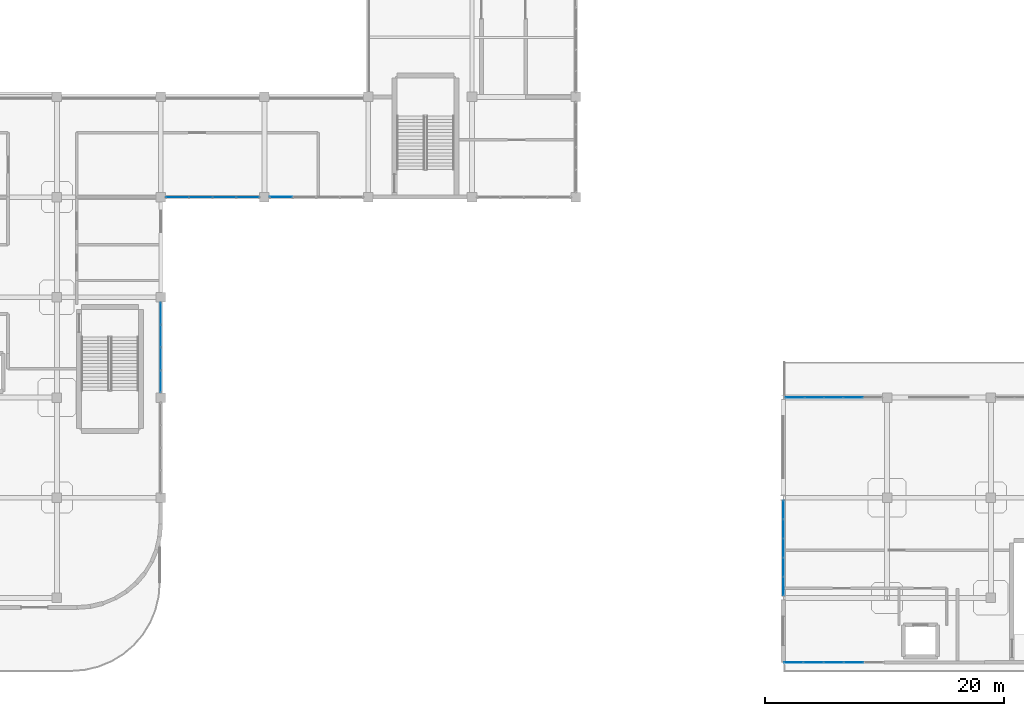
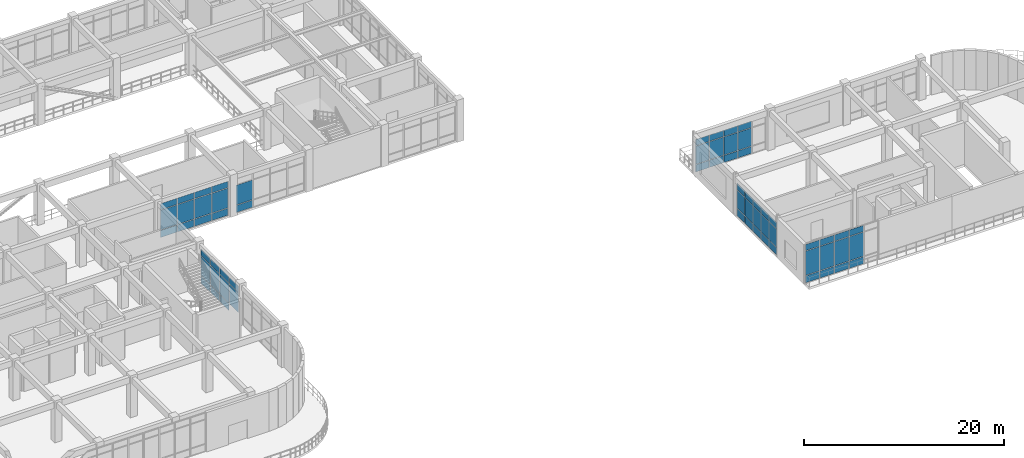
# One storey, part 71 of 96: 64 plates, 6 elements without a shape of their own.
"""IFC4 building model written with IfcOpenShell, lengths in metres."""

from ifc_helpers import new_model, si_unit, derived_unit, direction, frame, origin, origin_2d, place, context, subcontext, project, spatial, rectangle, extrude, material, layer, layer_set, type_object, element, aggregate, save


model = new_model("IFC4")

# Units and contexts
model_context = context("Model", 3, precision=1e-05, world=origin(), true_north=direction((0.0, 1.0)))
body_context = subcontext(model_context, "Body", "Model", "MODEL_VIEW")
ifc_project = project(units=[si_unit("LENGTHUNIT", "METRE"), si_unit("AREAUNIT", "SQUARE_METRE"), si_unit("VOLUMEUNIT", "CUBIC_METRE"), si_unit("PLANEANGLEUNIT", "RADIAN"), si_unit("MASSUNIT", "GRAM", prefix="KILO"), derived_unit("THERMALTRANSMITTANCEUNIT", [(si_unit("MASSUNIT", "GRAM", prefix="KILO"), 1), (si_unit("TIMEUNIT", "SECOND"), -3), (si_unit("THERMODYNAMICTEMPERATUREUNIT", "KELVIN"), -1)])], contexts=[model_context])

# Site, building, storey
site_placement = place(None, origin())
site = spatial("IfcSite", under=ifc_project, at=site_placement, CompositionType="ELEMENT")
building_placement = place(site_placement, origin())
building = spatial("IfcBuilding", under=site, at=building_placement, Name="Qinzheling Arcade Emporium", CompositionType="ELEMENT")
storey_placement = place(building_placement, frame((0.0, 0.0, 21.60009765625)))
storey = spatial("IfcBuildingStorey", under=building, at=storey_placement, Name="L05", CompositionType="ELEMENT", Elevation=21.60009765625)

# Curtain wall, plates
ifc_material_1 = material(Name="Anodised aluminium and solar-control double glazing", Category="aluminium")
ifc_layer_1 = layer(ifc_material_1, 0.159912109375, Name="Anodised aluminium and solar-control double glazing", Category="aluminium")
ifc_layer_set_1 = layer_set([ifc_layer_1], Name="Anodised aluminium and solar-control double glazing")
curtain_wall_type_1 = type_object("IfcCurtainWallType", Name="Atrium Clerestory Curtain Wall", PredefinedType="NOTDEFINED", material=ifc_layer_set_1)
curtain_wall_1_placement = place(storey_placement, origin())
curtain_wall_1 = element("IfcCurtainWall", 1, at=curtain_wall_1_placement, inside=storey, type_object=curtain_wall_type_1, Name="Curtain Wall CW-L05-332", PredefinedType="NOTDEFINED")
ifc_material_2 = material(Name="Laminated solar-control double glazing", Category="glass")
ifc_layer_2 = layer(ifc_material_2, 0.02099609375, Name="Laminated solar-control double glazing", Category="glass")
ifc_layer_set_2 = layer_set([ifc_layer_2], Name="Laminated solar-control double glazing")
plate_type_1 = type_object("IfcPlateType", Name="Low-E Double Glazed Curtain Panel 21mm", PredefinedType="CURTAIN_PANEL", material=ifc_layer_set_2)
plate_1_placement = place(storey_placement, frame((76.89599609375, 42.0, 0.06005859375), z_axis=(0.0, 0.0, 1.0), x_axis=(-1.0, 0.0, 0.0)))
plate_1 = element("IfcPlate", 2, at=plate_1_placement, type_object=plate_type_1, Name="CW03 panel 1.1", PredefinedType="CURTAIN_PANEL", context=body_context, shape_type="SweptSolid", body=[
    extrude(rectangle(XDim=1.884033203125, YDim=0.02099609375, at=origin_2d()), origin(), (0.0, 0.0, 1.0), 0.860107421875),
])
plate_2_placement = place(storey_placement, frame((76.89599609375, 42.0, 0.97998046875), z_axis=(0.0, 0.0, 1.0), x_axis=(-1.0, 0.0, 0.0)))
plate_2 = element("IfcPlate", 3, at=plate_2_placement, type_object=plate_type_1, Name="CW03 panel 1.2", PredefinedType="CURTAIN_PANEL", context=body_context, shape_type="SweptSolid", body=[
    extrude(rectangle(XDim=1.884033203125, YDim=0.02099609375, at=origin_2d()), origin(), (0.0, 0.0, 1.0), 2.39501953125),
])
plate_3_placement = place(storey_placement, frame((76.89599609375, 42.0, 3.43505859375), z_axis=(0.0, 0.0, 1.0), x_axis=(-1.0, 0.0, 0.0)))
plate_3 = element("IfcPlate", 4, at=plate_3_placement, type_object=plate_type_1, Name="CW03 panel 1.3", PredefinedType="CURTAIN_PANEL", context=body_context, shape_type="SweptSolid", body=[
    extrude(rectangle(XDim=1.884033203125, YDim=0.02099609375, at=origin_2d()), origin(), (0.0, 0.0, 1.0), 0.760009765625),
])
plate_4_placement = place(storey_placement, frame((74.93701171875, 42.0, 0.06005859375), z_axis=(0.0, 0.0, 1.0), x_axis=(-1.0, 0.0, 0.0)))
plate_4 = element("IfcPlate", 5, at=plate_4_placement, type_object=plate_type_1, Name="CW03 panel 2.1", PredefinedType="CURTAIN_PANEL", context=body_context, shape_type="SweptSolid", body=[
    extrude(rectangle(XDim=1.9140625, YDim=0.02099609375, at=origin_2d()), origin(), (0.0, 0.0, 1.0), 0.860107421875),
])
plate_5_placement = place(storey_placement, frame((74.93701171875, 42.0, 0.97998046875), z_axis=(0.0, 0.0, 1.0), x_axis=(-1.0, 0.0, 0.0)))
plate_5 = element("IfcPlate", 6, at=plate_5_placement, type_object=plate_type_1, Name="CW03 panel 2.2", PredefinedType="CURTAIN_PANEL", context=body_context, shape_type="SweptSolid", body=[
    extrude(rectangle(XDim=1.9140625, YDim=0.02099609375, at=origin_2d()), origin(), (0.0, 0.0, 1.0), 2.39501953125),
])
plate_6_placement = place(storey_placement, frame((74.93701171875, 42.0, 3.43505859375), z_axis=(0.0, 0.0, 1.0), x_axis=(-1.0, 0.0, 0.0)))
plate_6 = element("IfcPlate", 7, at=plate_6_placement, type_object=plate_type_1, Name="CW03 panel 2.3", PredefinedType="CURTAIN_PANEL", context=body_context, shape_type="SweptSolid", body=[
    extrude(rectangle(XDim=1.9140625, YDim=0.02099609375, at=origin_2d()), origin(), (0.0, 0.0, 1.0), 0.760009765625),
])
plate_7_placement = place(storey_placement, frame((72.962890625, 42.0, 0.06005859375), z_axis=(0.0, 0.0, 1.0), x_axis=(-1.0, 0.0, 0.0)))
plate_7 = element("IfcPlate", 8, at=plate_7_placement, type_object=plate_type_1, Name="CW03 panel 3.1", PredefinedType="CURTAIN_PANEL", context=body_context, shape_type="SweptSolid", body=[
    extrude(rectangle(XDim=1.9140625, YDim=0.02099609375, at=origin_2d()), origin(), (0.0, 0.0, 1.0), 0.860107421875),
])
plate_8_placement = place(storey_placement, frame((72.962890625, 42.0, 0.97998046875), z_axis=(0.0, 0.0, 1.0), x_axis=(-1.0, 0.0, 0.0)))
plate_8 = element("IfcPlate", 9, at=plate_8_placement, type_object=plate_type_1, Name="CW03 panel 3.2", PredefinedType="CURTAIN_PANEL", context=body_context, shape_type="SweptSolid", body=[
    extrude(rectangle(XDim=1.9140625, YDim=0.02099609375, at=origin_2d()), origin(), (0.0, 0.0, 1.0), 2.39501953125),
])
plate_9_placement = place(storey_placement, frame((72.962890625, 42.0, 3.43505859375), z_axis=(0.0, 0.0, 1.0), x_axis=(-1.0, 0.0, 0.0)))
plate_9 = element("IfcPlate", 10, at=plate_9_placement, type_object=plate_type_1, Name="CW03 panel 3.3", PredefinedType="CURTAIN_PANEL", context=body_context, shape_type="SweptSolid", body=[
    extrude(rectangle(XDim=1.9140625, YDim=0.02099609375, at=origin_2d()), origin(), (0.0, 0.0, 1.0), 0.760009765625),
])
plate_10_placement = place(storey_placement, frame((71.00390625, 42.0, 0.06005859375), z_axis=(0.0, 0.0, 1.0), x_axis=(-1.0, 0.0, 0.0)))
plate_10 = element("IfcPlate", 11, at=plate_10_placement, type_object=plate_type_1, Name="CW03 panel 4.1", PredefinedType="CURTAIN_PANEL", context=body_context, shape_type="SweptSolid", body=[
    extrude(rectangle(XDim=1.884033203125, YDim=0.02099609375, at=origin_2d()), origin(), (0.0, 0.0, 1.0), 0.860107421875),
])
plate_11_placement = place(storey_placement, frame((71.00390625, 42.0, 0.97998046875), z_axis=(0.0, 0.0, 1.0), x_axis=(-1.0, 0.0, 0.0)))
plate_11 = element("IfcPlate", 12, at=plate_11_placement, type_object=plate_type_1, Name="CW03 panel 4.2", PredefinedType="CURTAIN_PANEL", context=body_context, shape_type="SweptSolid", body=[
    extrude(rectangle(XDim=1.884033203125, YDim=0.02099609375, at=origin_2d()), origin(), (0.0, 0.0, 1.0), 2.39501953125),
])
plate_12_placement = place(storey_placement, frame((71.00390625, 42.0, 3.43505859375), z_axis=(0.0, 0.0, 1.0), x_axis=(-1.0, 0.0, 0.0)))
plate_12 = element("IfcPlate", 13, at=plate_12_placement, type_object=plate_type_1, Name="CW03 panel 4.3", PredefinedType="CURTAIN_PANEL", context=body_context, shape_type="SweptSolid", body=[
    extrude(rectangle(XDim=1.884033203125, YDim=0.02099609375, at=origin_2d()), origin(), (0.0, 0.0, 1.0), 0.760009765625),
])
aggregate(curtain_wall_1, [plate_1, plate_2, plate_3, plate_4, plate_5, plate_6, plate_7, plate_8, plate_9, plate_10, plate_11, plate_12])

ifc_layer_3 = layer(ifc_material_1, 0.159912109375, Name="Anodised aluminium and solar-control double glazing", Category="aluminium")
ifc_layer_set_3 = layer_set([ifc_layer_3], Name="Anodised aluminium and solar-control double glazing")
curtain_wall_type_2 = type_object("IfcCurtainWallType", Name="Arcade Portal Glazed Curtain Wall", PredefinedType="NOTDEFINED", material=ifc_layer_set_3)
curtain_wall_2_placement = place(storey_placement, origin())
curtain_wall_2 = element("IfcCurtainWall", 14, at=curtain_wall_2_placement, inside=storey, type_object=curtain_wall_type_2, Name="Curtain Wall CW-L05-333", PredefinedType="NOTDEFINED")
ifc_layer_4 = layer(ifc_material_2, 0.02197265625, Name="Laminated solar-control double glazing", Category="glass")
ifc_layer_set_4 = layer_set([ifc_layer_4], Name="Laminated solar-control double glazing")
plate_type_2 = type_object("IfcPlateType", Name="Low-E Double Glazed Curtain Panel 22mm", PredefinedType="CURTAIN_PANEL", material=ifc_layer_set_4)
plate_13_placement = place(storey_placement, frame((69.60009765625, 32.2333984375, 0.06005859375), z_axis=(0.0, 0.0, 1.0), x_axis=(0.0, -1.0, 0.0)))
plate_13 = element("IfcPlate", 15, at=plate_13_placement, type_object=plate_type_2, Name="CW05 panel 1.1", PredefinedType="CURTAIN_PANEL", context=body_context, shape_type="SweptSolid", body=[
    extrude(rectangle(XDim=1.80908203125, YDim=0.02197265625, at=origin_2d()), origin(), (0.0, 0.0, 1.0), 0.860107421875),
])
plate_14_placement = place(storey_placement, frame((69.60009765625, 32.2333984375, 0.97998046875), z_axis=(0.0, 0.0, 1.0), x_axis=(0.0, -1.0, 0.0)))
plate_14 = element("IfcPlate", 16, at=plate_14_placement, type_object=plate_type_2, Name="CW05 panel 1.2", PredefinedType="CURTAIN_PANEL", context=body_context, shape_type="SweptSolid", body=[
    extrude(rectangle(XDim=1.80908203125, YDim=0.02197265625, at=origin_2d()), origin(), (0.0, 0.0, 1.0), 2.39501953125),
])
plate_15_placement = place(storey_placement, frame((69.60009765625, 32.2333984375, 3.43505859375), z_axis=(0.0, 0.0, 1.0), x_axis=(0.0, -1.0, 0.0)))
plate_15 = element("IfcPlate", 17, at=plate_15_placement, type_object=plate_type_2, Name="CW05 panel 1.3", PredefinedType="CURTAIN_PANEL", context=body_context, shape_type="SweptSolid", body=[
    extrude(rectangle(XDim=1.80908203125, YDim=0.02197265625, at=origin_2d()), origin(), (0.0, 0.0, 1.0), 0.760009765625),
])
plate_16_placement = place(storey_placement, frame((69.60009765625, 30.349609375, 0.06005859375), z_axis=(0.0, 0.0, 1.0), x_axis=(0.0, -1.0, 0.0)))
plate_16 = element("IfcPlate", 18, at=plate_16_placement, type_object=plate_type_2, Name="CW05 panel 2.1", PredefinedType="CURTAIN_PANEL", context=body_context, shape_type="SweptSolid", body=[
    extrude(rectangle(XDim=1.839111328125, YDim=0.02197265625, at=origin_2d()), origin(), (0.0, 0.0, 1.0), 0.860107421875),
])
plate_17_placement = place(storey_placement, frame((69.60009765625, 30.349609375, 0.97998046875), z_axis=(0.0, 0.0, 1.0), x_axis=(0.0, -1.0, 0.0)))
plate_17 = element("IfcPlate", 19, at=plate_17_placement, type_object=plate_type_2, Name="CW05 panel 2.2", PredefinedType="CURTAIN_PANEL", context=body_context, shape_type="SweptSolid", body=[
    extrude(rectangle(XDim=1.839111328125, YDim=0.02197265625, at=origin_2d()), origin(), (0.0, 0.0, 1.0), 2.39501953125),
])
plate_18_placement = place(storey_placement, frame((69.60009765625, 30.349609375, 3.43505859375), z_axis=(0.0, 0.0, 1.0), x_axis=(0.0, -1.0, 0.0)))
plate_18 = element("IfcPlate", 20, at=plate_18_placement, type_object=plate_type_2, Name="CW05 panel 2.3", PredefinedType="CURTAIN_PANEL", context=body_context, shape_type="SweptSolid", body=[
    extrude(rectangle(XDim=1.839111328125, YDim=0.02197265625, at=origin_2d()), origin(), (0.0, 0.0, 1.0), 0.760009765625),
])
plate_19_placement = place(storey_placement, frame((69.60009765625, 28.450439453125, 0.06005859375), z_axis=(0.0, 0.0, 1.0), x_axis=(0.0, -1.0, 0.0)))
plate_19 = element("IfcPlate", 21, at=plate_19_placement, type_object=plate_type_2, Name="CW05 panel 3.1", PredefinedType="CURTAIN_PANEL", context=body_context, shape_type="SweptSolid", body=[
    extrude(rectangle(XDim=1.839111328125, YDim=0.02197265625, at=origin_2d()), origin(), (0.0, 0.0, 1.0), 0.860107421875),
])
plate_20_placement = place(storey_placement, frame((69.60009765625, 28.450439453125, 0.97998046875), z_axis=(0.0, 0.0, 1.0), x_axis=(0.0, -1.0, 0.0)))
plate_20 = element("IfcPlate", 22, at=plate_20_placement, type_object=plate_type_2, Name="CW05 panel 3.2", PredefinedType="CURTAIN_PANEL", context=body_context, shape_type="SweptSolid", body=[
    extrude(rectangle(XDim=1.839111328125, YDim=0.02197265625, at=origin_2d()), origin(), (0.0, 0.0, 1.0), 2.39501953125),
])
plate_21_placement = place(storey_placement, frame((69.60009765625, 28.450439453125, 3.43505859375), z_axis=(0.0, 0.0, 1.0), x_axis=(0.0, -1.0, 0.0)))
plate_21 = element("IfcPlate", 23, at=plate_21_placement, type_object=plate_type_2, Name="CW05 panel 3.3", PredefinedType="CURTAIN_PANEL", context=body_context, shape_type="SweptSolid", body=[
    extrude(rectangle(XDim=1.839111328125, YDim=0.02197265625, at=origin_2d()), origin(), (0.0, 0.0, 1.0), 0.760009765625),
])
plate_22_placement = place(storey_placement, frame((69.60009765625, 26.56640625, 0.97998046875), z_axis=(0.0, 0.0, 1.0), x_axis=(0.0, -1.0, 0.0)))
plate_22 = element("IfcPlate", 24, at=plate_22_placement, type_object=plate_type_2, Name="CW05 panel 4.2", PredefinedType="CURTAIN_PANEL", context=body_context, shape_type="SweptSolid", body=[
    extrude(rectangle(XDim=1.80908203125, YDim=0.02197265625, at=origin_2d()), origin(), (0.0, 0.0, 1.0), 2.39501953125),
])
plate_23_placement = place(storey_placement, frame((69.60009765625, 26.56640625, 3.43505859375), z_axis=(0.0, 0.0, 1.0), x_axis=(0.0, -1.0, 0.0)))
plate_23 = element("IfcPlate", 25, at=plate_23_placement, type_object=plate_type_2, Name="CW05 panel 4.3", PredefinedType="CURTAIN_PANEL", context=body_context, shape_type="SweptSolid", body=[
    extrude(rectangle(XDim=1.80908203125, YDim=0.02197265625, at=origin_2d()), origin(), (0.0, 0.0, 1.0), 0.760009765625),
])
aggregate(curtain_wall_2, [plate_13, plate_14, plate_15, plate_16, plate_17, plate_18, plate_19, plate_20, plate_21, plate_22, plate_23])

ifc_layer_5 = layer(ifc_material_1, 0.159912109375, Name="Anodised aluminium and solar-control double glazing", Category="aluminium")
ifc_layer_set_5 = layer_set([ifc_layer_5], Name="Anodised aluminium and solar-control double glazing")
curtain_wall_type_3 = type_object("IfcCurtainWallType", Name="Food Hall Loggia Curtain Wall", PredefinedType="NOTDEFINED", material=ifc_layer_set_5)
curtain_wall_3_placement = place(storey_placement, origin())
curtain_wall_3 = element("IfcCurtainWall", 26, at=curtain_wall_3_placement, inside=storey, type_object=curtain_wall_type_3, Name="Curtain Wall CW-L05-294", PredefinedType="NOTDEFINED")
ifc_layer_6 = layer(ifc_material_2, 0.031982421875, Name="Laminated solar-control double glazing", Category="glass")
ifc_layer_set_6 = layer_set([ifc_layer_6], Name="Laminated solar-control double glazing")
plate_type_3 = type_object("IfcPlateType", Name="Low-E Double Glazed Curtain Panel 32mm", PredefinedType="CURTAIN_PANEL", material=ifc_layer_set_6)
plate_24_placement = place(storey_placement, frame((127.70166015625, 3.0, 0.06005859375), z_axis=(0.0, 0.0, 1.0), x_axis=(-1.0, 0.0, 0.0)))
plate_24 = element("IfcPlate", 27, at=plate_24_placement, type_object=plate_type_3, Name="CW04 panel 2.1", PredefinedType="CURTAIN_PANEL", context=body_context, shape_type="SweptSolid", body=[
    extrude(rectangle(XDim=1.626220703125, YDim=0.031982421875, at=origin_2d()), origin(), (0.0, 0.0, 1.0), 0.860107421875),
])
plate_25_placement = place(storey_placement, frame((127.70166015625, 3.0, 0.97998046875), z_axis=(0.0, 0.0, 1.0), x_axis=(-1.0, 0.0, 0.0)))
plate_25 = element("IfcPlate", 28, at=plate_25_placement, type_object=plate_type_3, Name="CW04 panel 2.2", PredefinedType="CURTAIN_PANEL", context=body_context, shape_type="SweptSolid", body=[
    extrude(rectangle(XDim=1.626220703125, YDim=0.031982421875, at=origin_2d()), origin(), (0.0, 0.0, 1.0), 2.929931640625),
])
plate_26_placement = place(storey_placement, frame((127.70166015625, 3.0, 3.9697265625), z_axis=(0.0, 0.0, 1.0), x_axis=(-1.0, 0.0, 0.0)))
plate_26 = element("IfcPlate", 29, at=plate_26_placement, type_object=plate_type_3, Name="CW04 panel 2.3", PredefinedType="CURTAIN_PANEL", context=body_context, shape_type="SweptSolid", body=[
    extrude(rectangle(XDim=1.626220703125, YDim=0.031982421875, at=origin_2d()), origin(), (0.0, 0.0, 1.0), 0.760009765625),
])
plate_27_placement = place(storey_placement, frame((126.015380859375, 3.0, 0.06005859375), z_axis=(0.0, 0.0, 1.0), x_axis=(-1.0, 0.0, 0.0)))
plate_27 = element("IfcPlate", 30, at=plate_27_placement, type_object=plate_type_3, Name="CW04 panel 3.1", PredefinedType="CURTAIN_PANEL", context=body_context, shape_type="SweptSolid", body=[
    extrude(rectangle(XDim=1.626220703125, YDim=0.031982421875, at=origin_2d()), origin(), (0.0, 0.0, 1.0), 0.860107421875),
])
plate_28_placement = place(storey_placement, frame((126.015380859375, 3.0, 0.97998046875), z_axis=(0.0, 0.0, 1.0), x_axis=(-1.0, 0.0, 0.0)))
plate_28 = element("IfcPlate", 31, at=plate_28_placement, type_object=plate_type_3, Name="CW04 panel 3.2", PredefinedType="CURTAIN_PANEL", context=body_context, shape_type="SweptSolid", body=[
    extrude(rectangle(XDim=1.626220703125, YDim=0.031982421875, at=origin_2d()), origin(), (0.0, 0.0, 1.0), 2.929931640625),
])
plate_29_placement = place(storey_placement, frame((126.015380859375, 3.0, 3.9697265625), z_axis=(0.0, 0.0, 1.0), x_axis=(-1.0, 0.0, 0.0)))
plate_29 = element("IfcPlate", 32, at=plate_29_placement, type_object=plate_type_3, Name="CW04 panel 3.3", PredefinedType="CURTAIN_PANEL", context=body_context, shape_type="SweptSolid", body=[
    extrude(rectangle(XDim=1.626220703125, YDim=0.031982421875, at=origin_2d()), origin(), (0.0, 0.0, 1.0), 0.760009765625),
])
plate_30_placement = place(storey_placement, frame((124.329345703125, 3.0, 0.06005859375), z_axis=(0.0, 0.0, 1.0), x_axis=(-1.0, 0.0, 0.0)))
plate_30 = element("IfcPlate", 33, at=plate_30_placement, type_object=plate_type_3, Name="CW04 panel 4.1", PredefinedType="CURTAIN_PANEL", context=body_context, shape_type="SweptSolid", body=[
    extrude(rectangle(XDim=1.626220703125, YDim=0.031982421875, at=origin_2d()), origin(), (0.0, 0.0, 1.0), 0.860107421875),
])
plate_31_placement = place(storey_placement, frame((124.329345703125, 3.0, 0.97998046875), z_axis=(0.0, 0.0, 1.0), x_axis=(-1.0, 0.0, 0.0)))
plate_31 = element("IfcPlate", 34, at=plate_31_placement, type_object=plate_type_3, Name="CW04 panel 4.2", PredefinedType="CURTAIN_PANEL", context=body_context, shape_type="SweptSolid", body=[
    extrude(rectangle(XDim=1.626220703125, YDim=0.031982421875, at=origin_2d()), origin(), (0.0, 0.0, 1.0), 2.929931640625),
])
plate_32_placement = place(storey_placement, frame((124.329345703125, 3.0, 3.9697265625), z_axis=(0.0, 0.0, 1.0), x_axis=(-1.0, 0.0, 0.0)))
plate_32 = element("IfcPlate", 35, at=plate_32_placement, type_object=plate_type_3, Name="CW04 panel 4.3", PredefinedType="CURTAIN_PANEL", context=body_context, shape_type="SweptSolid", body=[
    extrude(rectangle(XDim=1.626220703125, YDim=0.031982421875, at=origin_2d()), origin(), (0.0, 0.0, 1.0), 0.760009765625),
])
plate_33_placement = place(storey_placement, frame((122.658203125, 3.0, 0.06005859375), z_axis=(0.0, 0.0, 1.0), x_axis=(-1.0, 0.0, 0.0)))
plate_33 = element("IfcPlate", 36, at=plate_33_placement, type_object=plate_type_3, Name="CW04 panel 5.1", PredefinedType="CURTAIN_PANEL", context=body_context, shape_type="SweptSolid", body=[
    extrude(rectangle(XDim=1.59619140625, YDim=0.031982421875, at=origin_2d()), origin(), (0.0, 0.0, 1.0), 0.860107421875),
])
plate_34_placement = place(storey_placement, frame((122.658203125, 3.0, 0.97998046875), z_axis=(0.0, 0.0, 1.0), x_axis=(-1.0, 0.0, 0.0)))
plate_34 = element("IfcPlate", 37, at=plate_34_placement, type_object=plate_type_3, Name="CW04 panel 5.2", PredefinedType="CURTAIN_PANEL", context=body_context, shape_type="SweptSolid", body=[
    extrude(rectangle(XDim=1.59619140625, YDim=0.031982421875, at=origin_2d()), origin(), (0.0, 0.0, 1.0), 2.929931640625),
])
plate_35_placement = place(storey_placement, frame((122.658203125, 3.0, 3.9697265625), z_axis=(0.0, 0.0, 1.0), x_axis=(-1.0, 0.0, 0.0)))
plate_35 = element("IfcPlate", 38, at=plate_35_placement, type_object=plate_type_3, Name="CW04 panel 5.3", PredefinedType="CURTAIN_PANEL", context=body_context, shape_type="SweptSolid", body=[
    extrude(rectangle(XDim=1.59619140625, YDim=0.031982421875, at=origin_2d()), origin(), (0.0, 0.0, 1.0), 0.760009765625),
])
aggregate(curtain_wall_3, [plate_24, plate_25, plate_26, plate_27, plate_28, plate_29, plate_30, plate_31, plate_32, plate_33, plate_34, plate_35])

curtain_wall_4_placement = place(storey_placement, origin())
curtain_wall_4 = element("IfcCurtainWall", 39, at=curtain_wall_4_placement, inside=storey, type_object=curtain_wall_type_3, Name="Curtain Wall CW-L05-295", PredefinedType="NOTDEFINED")
ifc_layer_7 = layer(ifc_material_2, 0.033935546875, Name="Laminated solar-control double glazing", Category="glass")
ifc_layer_set_7 = layer_set([ifc_layer_7], Name="Laminated solar-control double glazing")
plate_type_4 = type_object("IfcPlateType", Name="Low-E Double Glazed Curtain Panel 34mm", PredefinedType="CURTAIN_PANEL", material=ifc_layer_set_7)
plate_36_placement = place(storey_placement, frame((121.800048828125, 9.37158203125, 0.06005859375), z_axis=(0.0, 0.0, 1.0), x_axis=(0.0, 1.0, 0.0)))
plate_36 = element("IfcPlate", 40, at=plate_36_placement, type_object=plate_type_4, Name="CW04 panel 1.1", PredefinedType="CURTAIN_PANEL", context=body_context, shape_type="SweptSolid", body=[
    extrude(rectangle(XDim=1.519287109375, YDim=0.033935546875, at=origin_2d()), origin(), (0.0, 0.0, 1.0), 0.860107421875),
])
plate_37_placement = place(storey_placement, frame((121.800048828125, 9.37158203125, 0.97998046875), z_axis=(0.0, 0.0, 1.0), x_axis=(0.0, 1.0, 0.0)))
plate_37 = element("IfcPlate", 41, at=plate_37_placement, type_object=plate_type_4, Name="CW04 panel 1.2", PredefinedType="CURTAIN_PANEL", context=body_context, shape_type="SweptSolid", body=[
    extrude(rectangle(XDim=1.519287109375, YDim=0.033935546875, at=origin_2d()), origin(), (0.0, 0.0, 1.0), 2.195068359375),
])
plate_38_placement = place(storey_placement, frame((121.800048828125, 9.37158203125, 3.23486328125), z_axis=(0.0, 0.0, 1.0), x_axis=(0.0, 1.0, 0.0)))
plate_38 = element("IfcPlate", 42, at=plate_38_placement, type_object=plate_type_4, Name="CW04 panel 1.3", PredefinedType="CURTAIN_PANEL", context=body_context, shape_type="SweptSolid", body=[
    extrude(rectangle(XDim=1.519287109375, YDim=0.033935546875, at=origin_2d()), origin(), (0.0, 0.0, 1.0), 0.760009765625),
])
plate_39_placement = place(storey_placement, frame((121.800048828125, 10.9658203125, 0.06005859375), z_axis=(0.0, 0.0, 1.0), x_axis=(0.0, 1.0, 0.0)))
plate_39 = element("IfcPlate", 43, at=plate_39_placement, type_object=plate_type_4, Name="CW04 panel 2.1", PredefinedType="CURTAIN_PANEL", context=body_context, shape_type="SweptSolid", body=[
    extrude(rectangle(XDim=1.54931640625, YDim=0.033935546875, at=origin_2d()), origin(), (0.0, 0.0, 1.0), 0.860107421875),
])
plate_40_placement = place(storey_placement, frame((121.800048828125, 10.9658203125, 0.97998046875), z_axis=(0.0, 0.0, 1.0), x_axis=(0.0, 1.0, 0.0)))
plate_40 = element("IfcPlate", 44, at=plate_40_placement, type_object=plate_type_4, Name="CW04 panel 2.2", PredefinedType="CURTAIN_PANEL", context=body_context, shape_type="SweptSolid", body=[
    extrude(rectangle(XDim=1.54931640625, YDim=0.033935546875, at=origin_2d()), origin(), (0.0, 0.0, 1.0), 2.195068359375),
])
plate_41_placement = place(storey_placement, frame((121.800048828125, 10.9658203125, 3.23486328125), z_axis=(0.0, 0.0, 1.0), x_axis=(0.0, 1.0, 0.0)))
plate_41 = element("IfcPlate", 45, at=plate_41_placement, type_object=plate_type_4, Name="CW04 panel 2.3", PredefinedType="CURTAIN_PANEL", context=body_context, shape_type="SweptSolid", body=[
    extrude(rectangle(XDim=1.54931640625, YDim=0.033935546875, at=origin_2d()), origin(), (0.0, 0.0, 1.0), 0.760009765625),
])
plate_42_placement = place(storey_placement, frame((121.800048828125, 12.574951171875, 0.06005859375), z_axis=(0.0, 0.0, 1.0), x_axis=(0.0, 1.0, 0.0)))
plate_42 = element("IfcPlate", 46, at=plate_42_placement, type_object=plate_type_4, Name="CW04 panel 3.1", PredefinedType="CURTAIN_PANEL", context=body_context, shape_type="SweptSolid", body=[
    extrude(rectangle(XDim=1.54931640625, YDim=0.033935546875, at=origin_2d()), origin(), (0.0, 0.0, 1.0), 0.860107421875),
])
plate_43_placement = place(storey_placement, frame((121.800048828125, 12.574951171875, 0.97998046875), z_axis=(0.0, 0.0, 1.0), x_axis=(0.0, 1.0, 0.0)))
plate_43 = element("IfcPlate", 47, at=plate_43_placement, type_object=plate_type_4, Name="CW04 panel 3.2", PredefinedType="CURTAIN_PANEL", context=body_context, shape_type="SweptSolid", body=[
    extrude(rectangle(XDim=1.54931640625, YDim=0.033935546875, at=origin_2d()), origin(), (0.0, 0.0, 1.0), 2.195068359375),
])
plate_44_placement = place(storey_placement, frame((121.800048828125, 12.574951171875, 3.23486328125), z_axis=(0.0, 0.0, 1.0), x_axis=(0.0, 1.0, 0.0)))
plate_44 = element("IfcPlate", 48, at=plate_44_placement, type_object=plate_type_4, Name="CW04 panel 3.3", PredefinedType="CURTAIN_PANEL", context=body_context, shape_type="SweptSolid", body=[
    extrude(rectangle(XDim=1.54931640625, YDim=0.033935546875, at=origin_2d()), origin(), (0.0, 0.0, 1.0), 0.760009765625),
])
plate_45_placement = place(storey_placement, frame((121.800048828125, 14.18408203125, 0.06005859375), z_axis=(0.0, 0.0, 1.0), x_axis=(0.0, 1.0, 0.0)))
plate_45 = element("IfcPlate", 49, at=plate_45_placement, type_object=plate_type_4, Name="CW04 panel 4.1", PredefinedType="CURTAIN_PANEL", context=body_context, shape_type="SweptSolid", body=[
    extrude(rectangle(XDim=1.54931640625, YDim=0.033935546875, at=origin_2d()), origin(), (0.0, 0.0, 1.0), 0.860107421875),
])
plate_46_placement = place(storey_placement, frame((121.800048828125, 14.18408203125, 0.97998046875), z_axis=(0.0, 0.0, 1.0), x_axis=(0.0, 1.0, 0.0)))
plate_46 = element("IfcPlate", 50, at=plate_46_placement, type_object=plate_type_4, Name="CW04 panel 4.2", PredefinedType="CURTAIN_PANEL", context=body_context, shape_type="SweptSolid", body=[
    extrude(rectangle(XDim=1.54931640625, YDim=0.033935546875, at=origin_2d()), origin(), (0.0, 0.0, 1.0), 2.195068359375),
])
plate_47_placement = place(storey_placement, frame((121.800048828125, 14.18408203125, 3.23486328125), z_axis=(0.0, 0.0, 1.0), x_axis=(0.0, 1.0, 0.0)))
plate_47 = element("IfcPlate", 51, at=plate_47_placement, type_object=plate_type_4, Name="CW04 panel 4.3", PredefinedType="CURTAIN_PANEL", context=body_context, shape_type="SweptSolid", body=[
    extrude(rectangle(XDim=1.54931640625, YDim=0.033935546875, at=origin_2d()), origin(), (0.0, 0.0, 1.0), 0.760009765625),
])
plate_48_placement = place(storey_placement, frame((121.800048828125, 15.7783203125, 0.06005859375), z_axis=(0.0, 0.0, 1.0), x_axis=(0.0, 1.0, 0.0)))
plate_48 = element("IfcPlate", 52, at=plate_48_placement, type_object=plate_type_4, Name="CW04 panel 5.1", PredefinedType="CURTAIN_PANEL", context=body_context, shape_type="SweptSolid", body=[
    extrude(rectangle(XDim=1.519287109375, YDim=0.033935546875, at=origin_2d()), origin(), (0.0, 0.0, 1.0), 0.860107421875),
])
plate_49_placement = place(storey_placement, frame((121.800048828125, 15.7783203125, 0.97998046875), z_axis=(0.0, 0.0, 1.0), x_axis=(0.0, 1.0, 0.0)))
plate_49 = element("IfcPlate", 53, at=plate_49_placement, type_object=plate_type_4, Name="CW04 panel 5.2", PredefinedType="CURTAIN_PANEL", context=body_context, shape_type="SweptSolid", body=[
    extrude(rectangle(XDim=1.519287109375, YDim=0.033935546875, at=origin_2d()), origin(), (0.0, 0.0, 1.0), 2.195068359375),
])
plate_50_placement = place(storey_placement, frame((121.800048828125, 15.7783203125, 3.23486328125), z_axis=(0.0, 0.0, 1.0), x_axis=(0.0, 1.0, 0.0)))
plate_50 = element("IfcPlate", 54, at=plate_50_placement, type_object=plate_type_4, Name="CW04 panel 5.3", PredefinedType="CURTAIN_PANEL", context=body_context, shape_type="SweptSolid", body=[
    extrude(rectangle(XDim=1.519287109375, YDim=0.033935546875, at=origin_2d()), origin(), (0.0, 0.0, 1.0), 0.760009765625),
])
aggregate(curtain_wall_4, [plate_36, plate_37, plate_38, plate_39, plate_40, plate_41, plate_42, plate_43, plate_44, plate_45, plate_46, plate_47, plate_48, plate_49, plate_50])

curtain_wall_5_placement = place(storey_placement, origin())
curtain_wall_5 = element("IfcCurtainWall", 55, at=curtain_wall_5_placement, inside=storey, type_object=curtain_wall_type_3, Name="Curtain Wall CW-L05-296", PredefinedType="NOTDEFINED")
ifc_layer_8 = layer(ifc_material_2, 0.035888671875, Name="Laminated solar-control double glazing", Category="glass")
ifc_layer_set_8 = layer_set([ifc_layer_8], Name="Laminated solar-control double glazing")
plate_type_5 = type_object("IfcPlateType", Name="Low-E Double Glazed Curtain Panel 36mm", PredefinedType="CURTAIN_PANEL", material=ifc_layer_set_8)
plate_51_placement = place(storey_placement, frame((122.781494140625, 25.199951171875, 0.06005859375), z_axis=(0.0, 0.0, 1.0), x_axis=(1.0, 0.0, 0.0)))
plate_51 = element("IfcPlate", 56, at=plate_51_placement, type_object=plate_type_5, Name="CW04 panel 1.1", PredefinedType="CURTAIN_PANEL", context=body_context, shape_type="SweptSolid", body=[
    extrude(rectangle(XDim=1.539306640625, YDim=0.035888671875, at=origin_2d()), origin(), (0.0, 0.0, 1.0), 0.860107421875),
])
plate_52_placement = place(storey_placement, frame((122.781494140625, 25.199951171875, 0.97998046875), z_axis=(0.0, 0.0, 1.0), x_axis=(1.0, 0.0, 0.0)))
plate_52 = element("IfcPlate", 57, at=plate_52_placement, type_object=plate_type_5, Name="CW04 panel 1.2", PredefinedType="CURTAIN_PANEL", context=body_context, shape_type="SweptSolid", body=[
    extrude(rectangle(XDim=1.539306640625, YDim=0.035888671875, at=origin_2d()), origin(), (0.0, 0.0, 1.0), 2.195068359375),
])
plate_53_placement = place(storey_placement, frame((122.781494140625, 25.199951171875, 3.23486328125), z_axis=(0.0, 0.0, 1.0), x_axis=(1.0, 0.0, 0.0)))
plate_53 = element("IfcPlate", 58, at=plate_53_placement, type_object=plate_type_5, Name="CW04 panel 1.3", PredefinedType="CURTAIN_PANEL", context=body_context, shape_type="SweptSolid", body=[
    extrude(rectangle(XDim=1.539306640625, YDim=0.035888671875, at=origin_2d()), origin(), (0.0, 0.0, 1.0), 0.760009765625),
])
plate_54_placement = place(storey_placement, frame((124.395751953125, 25.199951171875, 0.06005859375), z_axis=(0.0, 0.0, 1.0), x_axis=(1.0, 0.0, 0.0)))
plate_54 = element("IfcPlate", 59, at=plate_54_placement, type_object=plate_type_5, Name="CW04 panel 2.1", PredefinedType="CURTAIN_PANEL", context=body_context, shape_type="SweptSolid", body=[
    extrude(rectangle(XDim=1.569091796875, YDim=0.035888671875, at=origin_2d()), origin(), (0.0, 0.0, 1.0), 0.860107421875),
])
plate_55_placement = place(storey_placement, frame((124.395751953125, 25.199951171875, 0.97998046875), z_axis=(0.0, 0.0, 1.0), x_axis=(1.0, 0.0, 0.0)))
plate_55 = element("IfcPlate", 60, at=plate_55_placement, type_object=plate_type_5, Name="CW04 panel 2.2", PredefinedType="CURTAIN_PANEL", context=body_context, shape_type="SweptSolid", body=[
    extrude(rectangle(XDim=1.569091796875, YDim=0.035888671875, at=origin_2d()), origin(), (0.0, 0.0, 1.0), 2.195068359375),
])
plate_56_placement = place(storey_placement, frame((124.395751953125, 25.199951171875, 3.23486328125), z_axis=(0.0, 0.0, 1.0), x_axis=(1.0, 0.0, 0.0)))
plate_56 = element("IfcPlate", 61, at=plate_56_placement, type_object=plate_type_5, Name="CW04 panel 2.3", PredefinedType="CURTAIN_PANEL", context=body_context, shape_type="SweptSolid", body=[
    extrude(rectangle(XDim=1.569091796875, YDim=0.035888671875, at=origin_2d()), origin(), (0.0, 0.0, 1.0), 0.760009765625),
])
plate_57_placement = place(storey_placement, frame((126.02490234375, 25.199951171875, 0.06005859375), z_axis=(0.0, 0.0, 1.0), x_axis=(1.0, 0.0, 0.0)))
plate_57 = element("IfcPlate", 62, at=plate_57_placement, type_object=plate_type_5, Name="CW04 panel 3.1", PredefinedType="CURTAIN_PANEL", context=body_context, shape_type="SweptSolid", body=[
    extrude(rectangle(XDim=1.569091796875, YDim=0.035888671875, at=origin_2d()), origin(), (0.0, 0.0, 1.0), 0.860107421875),
])
plate_58_placement = place(storey_placement, frame((126.02490234375, 25.199951171875, 0.97998046875), z_axis=(0.0, 0.0, 1.0), x_axis=(1.0, 0.0, 0.0)))
plate_58 = element("IfcPlate", 63, at=plate_58_placement, type_object=plate_type_5, Name="CW04 panel 3.2", PredefinedType="CURTAIN_PANEL", context=body_context, shape_type="SweptSolid", body=[
    extrude(rectangle(XDim=1.569091796875, YDim=0.035888671875, at=origin_2d()), origin(), (0.0, 0.0, 1.0), 2.195068359375),
])
plate_59_placement = place(storey_placement, frame((126.02490234375, 25.199951171875, 3.23486328125), z_axis=(0.0, 0.0, 1.0), x_axis=(1.0, 0.0, 0.0)))
plate_59 = element("IfcPlate", 64, at=plate_59_placement, type_object=plate_type_5, Name="CW04 panel 3.3", PredefinedType="CURTAIN_PANEL", context=body_context, shape_type="SweptSolid", body=[
    extrude(rectangle(XDim=1.569091796875, YDim=0.035888671875, at=origin_2d()), origin(), (0.0, 0.0, 1.0), 0.760009765625),
])
plate_60_placement = place(storey_placement, frame((127.654296875, 25.199951171875, 0.06005859375), z_axis=(0.0, 0.0, 1.0), x_axis=(1.0, 0.0, 0.0)))
plate_60 = element("IfcPlate", 65, at=plate_60_placement, type_object=plate_type_5, Name="CW04 panel 4.1", PredefinedType="CURTAIN_PANEL", context=body_context, shape_type="SweptSolid", body=[
    extrude(rectangle(XDim=1.569091796875, YDim=0.035888671875, at=origin_2d()), origin(), (0.0, 0.0, 1.0), 0.860107421875),
])
plate_61_placement = place(storey_placement, frame((127.654296875, 25.199951171875, 0.97998046875), z_axis=(0.0, 0.0, 1.0), x_axis=(1.0, 0.0, 0.0)))
plate_61 = element("IfcPlate", 66, at=plate_61_placement, type_object=plate_type_5, Name="CW04 panel 4.2", PredefinedType="CURTAIN_PANEL", context=body_context, shape_type="SweptSolid", body=[
    extrude(rectangle(XDim=1.569091796875, YDim=0.035888671875, at=origin_2d()), origin(), (0.0, 0.0, 1.0), 2.195068359375),
])
plate_62_placement = place(storey_placement, frame((127.654296875, 25.199951171875, 3.23486328125), z_axis=(0.0, 0.0, 1.0), x_axis=(1.0, 0.0, 0.0)))
plate_62 = element("IfcPlate", 67, at=plate_62_placement, type_object=plate_type_5, Name="CW04 panel 4.3", PredefinedType="CURTAIN_PANEL", context=body_context, shape_type="SweptSolid", body=[
    extrude(rectangle(XDim=1.569091796875, YDim=0.035888671875, at=origin_2d()), origin(), (0.0, 0.0, 1.0), 0.760009765625),
])
aggregate(curtain_wall_5, [plate_51, plate_52, plate_53, plate_54, plate_55, plate_56, plate_57, plate_58, plate_59, plate_60, plate_61, plate_62])

curtain_wall_6_placement = place(storey_placement, origin())
curtain_wall_6 = element("IfcCurtainWall", 68, at=curtain_wall_6_placement, inside=storey, type_object=curtain_wall_type_1, Name="Curtain Wall CW-L05-331", PredefinedType="NOTDEFINED")
ifc_layer_9 = layer(ifc_material_2, 0.0419921875, Name="Laminated solar-control double glazing", Category="glass")
ifc_layer_set_9 = layer_set([ifc_layer_9], Name="Laminated solar-control double glazing")
plate_type_6 = type_object("IfcPlateType", Name="Low-E Double Glazed Curtain Panel 42mm", PredefinedType="CURTAIN_PANEL", material=ifc_layer_set_9)
plate_63_placement = place(storey_placement, frame((79.7041015625, 42.0, 0.06005859375), z_axis=(0.0, 0.0, 1.0), x_axis=(-1.0, 0.0, 0.0)))
plate_63 = element("IfcPlate", 69, at=plate_63_placement, type_object=plate_type_6, Name="CW03 panel 4.1", PredefinedType="CURTAIN_PANEL", context=body_context, shape_type="SweptSolid", body=[
    extrude(rectangle(XDim=1.884033203125, YDim=0.0419921875, at=origin_2d()), origin(), (0.0, 0.0, 1.0), 0.860107421875),
])
plate_64_placement = place(storey_placement, frame((79.7041015625, 42.0, 0.97998046875), z_axis=(0.0, 0.0, 1.0), x_axis=(-1.0, 0.0, 0.0)))
plate_64 = element("IfcPlate", 70, at=plate_64_placement, type_object=plate_type_6, Name="CW03 panel 4.2", PredefinedType="CURTAIN_PANEL", context=body_context, shape_type="SweptSolid", body=[
    extrude(rectangle(XDim=1.884033203125, YDim=0.0419921875, at=origin_2d()), origin(), (0.0, 0.0, 1.0), 2.39501953125),
])
aggregate(curtain_wall_6, [plate_63, plate_64])

save(model, "model.ifc")
